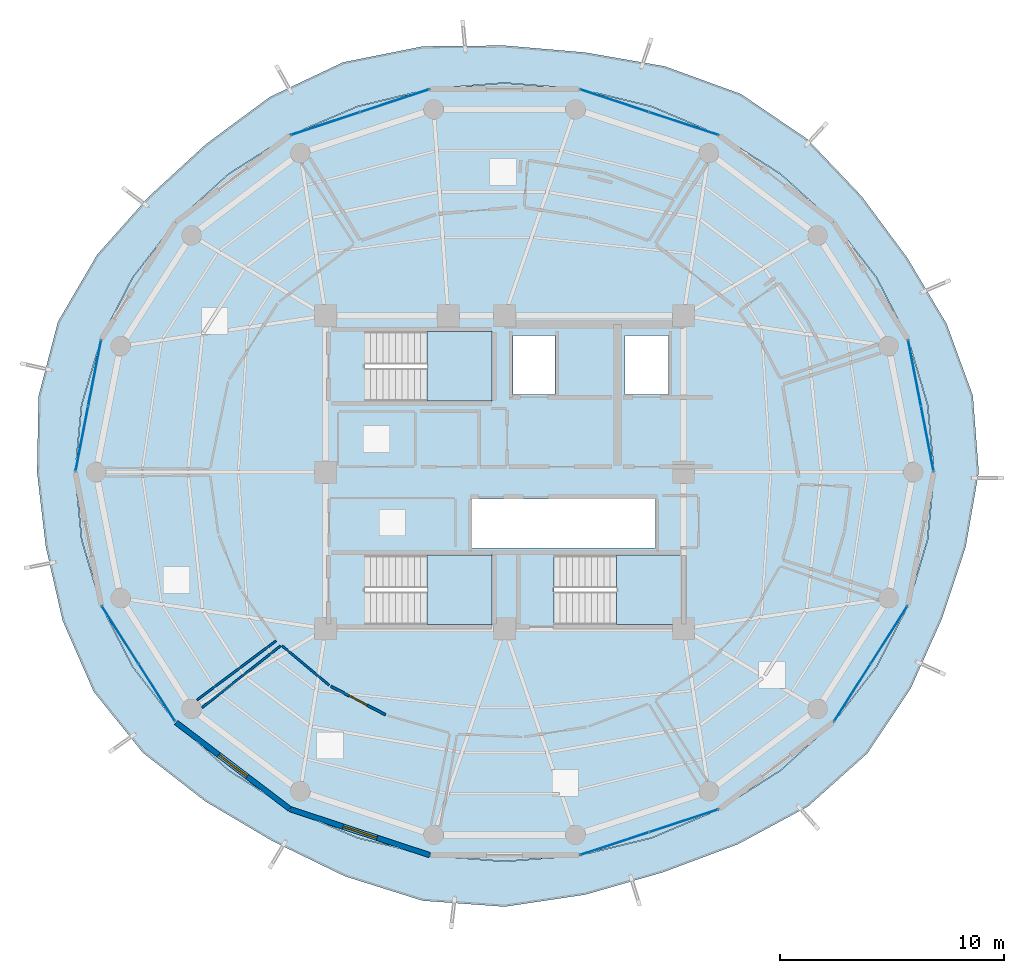
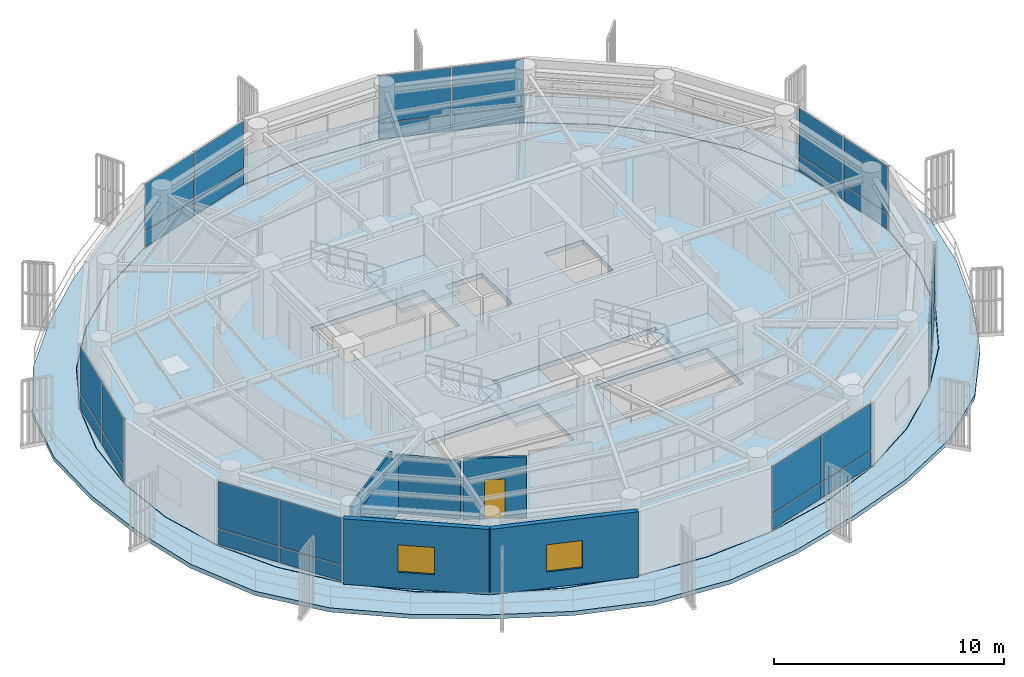
# One storey, part 14 of 22: 28 plates, 6 walls, 5 slabs, 2 windows, 1 door, 3 openings, 10 elements without a shape of their own.
"""IFC4 building model written with IfcOpenShell, lengths in metres."""

import ifcopenshell
import ifcopenshell.guid

model = None  # the IFC model being written
_history = None  # IfcOwnerHistory: only IFC2X3 demands one
_inside = {}  # id of a spatial element -> (the spatial element, [elements in it])
_under = {}  # id of a project, library or spatial element -> (it, [spatial elements below it])
_declared = {}  # id of a project -> (the project, [libraries it declares])
_typed = {}  # id of a type object -> (the type object, [elements of that type])
_made_of = {}  # id of a material, layer set ... -> (it, [elements and type objects made of it])


def new_model(schema):
    """Start an empty IFC model of exactly this schema.

    Asked for "IFC4X3", IfcOpenShell would pick the latest addendum, in which some entities
    have other attributes; the version numbers below select the first issue.
    IFC2X3 requires an IfcOwnerHistory on every rooted entity: one is made here for all.
    """
    global model, _history
    if schema == "IFC4X3":
        model = ifcopenshell.file(schema_version=(4, 3, 0, 0))
    else:
        model = ifcopenshell.file(schema=schema)
    _inside.clear()
    _under.clear()
    _declared.clear()
    _typed.clear()
    _made_of.clear()
    _history = None
    if model.schema == "IFC2X3":
        org = make("IfcOrganization", Name="unknown")
        user = make(
            "IfcPersonAndOrganization",
            ThePerson=make("IfcPerson", FamilyName="unknown"),
            TheOrganization=org,
        )
        app = make(
            "IfcApplication",
            ApplicationDeveloper=org,
            Version="unknown",
            ApplicationFullName="unknown",
            ApplicationIdentifier="unknown",
        )
        _history = make(
            "IfcOwnerHistory",
            OwningUser=user,
            OwningApplication=app,
            ChangeAction="ADDED",
            CreationDate=0,
        )
    return model


def make(cls, **values):
    """One entity of the class cls with the attributes given. An attribute that is None is left unset."""
    return model.create_entity(
        cls, **{name: value for name, value in values.items() if value is not None}
    )


def rooted(cls, **values):
    """An entity with a GlobalId (a new one), such as an element, a storey or a relation."""
    return make(cls, GlobalId=ifcopenshell.guid.new(), OwnerHistory=_history, **values)


def si_unit(unit_type, name, prefix=None):
    """IfcSIUnit, for example si_unit("LENGTHUNIT", "METRE", prefix="MILLI")."""
    return make("IfcSIUnit", UnitType=unit_type, Prefix=prefix, Name=name)


def assignment(units):
    """IfcUnitAssignment: the units of a project."""
    return None if units is None else make("IfcUnitAssignment", Units=units)


def point(xyz):
    """IfcCartesianPoint."""
    return None if xyz is None else make("IfcCartesianPoint", Coordinates=xyz)


def direction(xyz):
    """IfcDirection."""
    return None if xyz is None else make("IfcDirection", DirectionRatios=xyz)


def frame(location, z_axis=None, x_axis=None):
    """IfcAxis2Placement3D, a coordinate frame: its origin and axes. An axis left out is left unset."""
    return make(
        "IfcAxis2Placement3D",
        Location=point(location),
        Axis=direction(z_axis),
        RefDirection=direction(x_axis),
    )


def frame_2d(location, x_axis=None):
    """IfcAxis2Placement2D, a coordinate frame in the plane: its origin and x axis."""
    return make(
        "IfcAxis2Placement2D", Location=point(location), RefDirection=direction(x_axis)
    )


def origin():
    """The frame at (0, 0, 0) with its axes left unset."""
    return frame((0.0, 0.0, 0.0))


def origin_2d():
    """The frame at (0, 0) in the plane with its x axis left unset."""
    return frame_2d((0.0, 0.0))


def place(relative_to, where):
    """IfcLocalPlacement: puts the frame where relative to a parent placement (None: the world)."""
    return make(
        "IfcLocalPlacement", PlacementRelTo=relative_to, RelativePlacement=where
    )


def context(
    kind, dimensions, precision=None, world=None, true_north=None, identifier=None
):
    """IfcGeometricRepresentationContext, for example the 3D "Model" context."""
    return make(
        "IfcGeometricRepresentationContext",
        ContextIdentifier=identifier,
        ContextType=kind,
        CoordinateSpaceDimension=dimensions,
        Precision=precision,
        WorldCoordinateSystem=world,
        TrueNorth=true_north,
    )


def subcontext(parent, identifier, kind, view, scale=None):
    """IfcGeometricRepresentationSubContext, for example "Body" below "Model"."""
    return make(
        "IfcGeometricRepresentationSubContext",
        ContextIdentifier=identifier,
        ContextType=kind,
        ParentContext=parent,
        TargetScale=scale,
        TargetView=view,
    )


def project(units=None, contexts=None):
    """IfcProject with its units and contexts."""
    return rooted(
        "IfcProject",
        Name="project",
        RepresentationContexts=contexts,
        UnitsInContext=assignment(units),
    )


def spatial(cls, under=None, at=None, **own):
    """A site, building, storey or space (cls), placed at a placement, below another one or the project."""
    s = rooted(cls, ObjectPlacement=at, **own)
    if under is not None:
        _under.setdefault(under.id(), (under, []))[1].append(s)
    return s


def polyline(points):
    """IfcPolyline through the points."""
    return make("IfcPolyline", Points=[point(p) for p in points])


def profile(cls, at=None, kind="AREA", **sizes):
    """A parametric profile (cls). Its sizes go by their IFC names, for example OverallWidth=200.0."""
    return make(cls, ProfileType=kind, Position=at, **sizes)


def rectangle(**sizes):
    """IfcRectangleProfileDef."""
    return profile("IfcRectangleProfileDef", **sizes)


def outline(outer, holes=None, kind="AREA"):
    """IfcArbitraryClosedProfileDef: a profile drawn as a closed curve; with holes, ...WithVoids."""
    if holes is None:
        return make("IfcArbitraryClosedProfileDef", ProfileType=kind, OuterCurve=outer)
    return make(
        "IfcArbitraryProfileDefWithVoids",
        ProfileType=kind,
        OuterCurve=outer,
        InnerCurves=holes,
    )


def extrude(swept, where, along, depth):
    """IfcExtrudedAreaSolid: the profile swept, set in the frame where, extruded along a direction by depth."""
    return make(
        "IfcExtrudedAreaSolid",
        SweptArea=swept,
        Position=where,
        ExtrudedDirection=direction(along),
        Depth=depth,
    )


def shape(context_of_items, identifier, shape_type, items):
    """IfcShapeRepresentation: the items that make up one representation, for example the "Body"."""
    return make(
        "IfcShapeRepresentation",
        ContextOfItems=context_of_items,
        RepresentationIdentifier=identifier,
        RepresentationType=shape_type,
        Items=items,
    )


def source(mapping_origin, context_of_items, identifier, shape_type, items):
    """IfcRepresentationMap: a shape defined once, which mapped items show again and again."""
    return make(
        "IfcRepresentationMap",
        MappingOrigin=mapping_origin,
        MappedRepresentation=shape(context_of_items, identifier, shape_type, items),
    )


def transform(
    local_origin,
    x_axis=None,
    y_axis=None,
    z_axis=None,
    scale=None,
    scale2=None,
    scale3=None,
    uniform=True,
):
    """IfcCartesianTransformationOperator3D, or its non-uniform kind. x_axis, y_axis, z_axis: its Axis1, 2, 3."""
    if uniform:
        return make(
            "IfcCartesianTransformationOperator3D",
            Axis1=direction(x_axis),
            Axis2=direction(y_axis),
            LocalOrigin=point(local_origin),
            Scale=scale,
            Axis3=direction(z_axis),
        )
    return make(
        "IfcCartesianTransformationOperator3DnonUniform",
        Axis1=direction(x_axis),
        Axis2=direction(y_axis),
        LocalOrigin=point(local_origin),
        Scale=scale,
        Axis3=direction(z_axis),
        Scale2=scale2,
        Scale3=scale3,
    )


def mapped(mapping_source, mapping_target):
    """IfcMappedItem: shows the shape of a source again, moved by a transform."""
    return make(
        "IfcMappedItem", MappingSource=mapping_source, MappingTarget=mapping_target
    )


def material(Name=None, Category=None):
    """IfcMaterial."""
    return make("IfcMaterial", Name=Name, Category=Category)


def layer(
    of_material, thickness, ventilated=None, Name=None, Category=None, Priority=None
):
    """IfcMaterialLayer: one layer of a wall or slab, of a material (None: an air gap)."""
    return make(
        "IfcMaterialLayer",
        Material=of_material,
        LayerThickness=thickness,
        IsVentilated=ventilated,
        Name=Name,
        Category=Category,
        Priority=Priority,
    )


def layer_set(layers, Name=None):
    """IfcMaterialLayerSet."""
    return make("IfcMaterialLayerSet", MaterialLayers=layers, LayerSetName=Name)


def made_of(thing, what):
    """Note that an element or type object is made of a material, layer set ...; save() writes the relation."""
    if what is not None:
        _made_of.setdefault(what.id(), (what, []))[1].append(thing)
    return thing


def type_object(cls, material=None, **own):
    """A type object (cls), such as IfcWallType, which elements share."""
    return made_of(rooted(cls, **own), material)


def element(
    cls,
    number,
    at=None,
    inside=None,
    cuts=None,
    type_object=None,
    material=None,
    context=None,
    identifier="Body",
    shape_type=None,
    held_by="IfcProductDefinitionShape",
    body=None,
    shapes=None,
    **own,
):
    """One element of the class cls, such as IfcWall. Its Tag is "e" and its number.

    at: its placement. inside: the storey or other place that contains it. cuts: it is an
    opening in that element (IfcRelVoidsElement). A single representation is given by context,
    identifier, shape_type and body (its items); several are given by shapes. held_by: the class
    of the entity that holds the representations. save() writes the other relations.
    """
    e = rooted(cls, Tag="e%d" % number, ObjectPlacement=at, **own)
    if body is not None:
        shapes = [shape(context, identifier, shape_type, body)]
    if shapes is not None:
        e.Representation = make(held_by, Representations=shapes)
    if inside is not None:
        _inside.setdefault(inside.id(), (inside, []))[1].append(e)
    if cuts is not None:
        rooted(
            "IfcRelVoidsElement", RelatingBuildingElement=cuts, RelatedOpeningElement=e
        )
    if type_object is not None:
        _typed.setdefault(type_object.id(), (type_object, []))[1].append(e)
    return made_of(e, material)


def fill(opening, filler):
    """IfcRelFillsElement: the door or window that sits in an opening."""
    return rooted(
        "IfcRelFillsElement",
        RelatingOpeningElement=opening,
        RelatedBuildingElement=filler,
    )


def aggregate(whole, parts):
    """IfcRelAggregates: a whole, such as a stair, and the parts it consists of."""
    return rooted("IfcRelAggregates", RelatingObject=whole, RelatedObjects=parts)


def save(model, path):
    """Write the relations noted so far, then the file.

    IfcRelAggregates (storeys below a building ...), IfcRelContainedInSpatialStructure (elements
    in a storey), IfcRelDefinesByType, IfcRelAssociatesMaterial and IfcRelDeclares: one each for
    every whole, place, type object, material and project.
    """
    for whole, parts in _under.values():
        aggregate(whole, parts)
    for where, things in _inside.values():
        rooted(
            "IfcRelContainedInSpatialStructure",
            RelatedElements=things,
            RelatingStructure=where,
        )
    for kind, things in _typed.values():
        rooted("IfcRelDefinesByType", RelatedObjects=things, RelatingType=kind)
    for what, things in _made_of.values():
        rooted("IfcRelAssociatesMaterial", RelatedObjects=things, RelatingMaterial=what)
    for by, libraries in _declared.values():
        rooted("IfcRelDeclares", RelatingContext=by, RelatedDefinitions=libraries)
    model.write(path)


model = new_model("IFC4")

# Units and contexts
model_context = context("Model", 3, precision=1e-05, world=origin(), true_north=direction((0.0, 1.0)))
body_context = subcontext(model_context, "Body", "Model", "MODEL_VIEW")
ifc_project = project(units=[si_unit("LENGTHUNIT", "METRE"), si_unit("AREAUNIT", "SQUARE_METRE"), si_unit("VOLUMEUNIT", "CUBIC_METRE"), si_unit("PLANEANGLEUNIT", "RADIAN"), si_unit("MASSUNIT", "GRAM", prefix="KILO")], contexts=[model_context])

# Site, building, storey
site_placement = place(None, origin())
site = spatial("IfcSite", under=ifc_project, at=site_placement, CompositionType="ELEMENT")
building_placement = place(site_placement, origin())
building = spatial("IfcBuilding", under=site, at=building_placement, Name="Kelanora Arch Commons", CompositionType="ELEMENT")
storey_placement = place(building_placement, frame((0.0, 0.0, 267.449951171875)))
storey = spatial("IfcBuildingStorey", under=building, at=storey_placement, Name="L68", CompositionType="ELEMENT", Elevation=267.449951171875)

# Stair, slab
ifc_material_1 = material(Name="Concrete C40/50", Category="concrete")
stair_type = type_object("IfcStairType", Name="STR-DL-375", PredefinedType="HALF_TURN_STAIR", material=ifc_material_1)
stair_1_placement = place(storey_placement, origin())
stair_1 = element("IfcStair", 1, at=stair_1_placement, inside=storey, type_object=stair_type, Name="L68 ST-T1", PredefinedType="HALF_TURN_STAIR")
ifc_layer_1 = layer(ifc_material_1, 0.199951171875)
ifc_layer_set_1 = layer_set([ifc_layer_1], Name="Concrete C40/50")
slab_type_1 = type_object("IfcSlabType", Name="SLB-STAIR-LND", PredefinedType="LANDING", material=ifc_layer_set_1)
slab_1_placement = place(storey_placement, frame((0.0, 0.0, 1.675048828125)))
slab_1 = element("IfcSlab", 2, at=slab_1_placement, type_object=slab_type_1, Name="ST-T1 landing 1", PredefinedType="LANDING", context=body_context, shape_type="SweptSolid", body=[
    extrude(outline(polyline([(70.52001953125, 61.179931640625), (73.43994140625, 61.179931640625), (73.43994140625, 64.2900390625), (70.52001953125, 64.2900390625), (70.52001953125, 61.179931640625)])), origin(), (0.0, 0.0, 1.0), 0.199951171875),
])
aggregate(stair_1, [slab_1])

stair_2_placement = place(storey_placement, origin())
stair_2 = element("IfcStair", 3, at=stair_2_placement, inside=storey, type_object=stair_type, Name="L68 ST-T2", PredefinedType="HALF_TURN_STAIR")
slab_2_placement = place(storey_placement, frame((0.0, 0.0, 1.675048828125)))
slab_2 = element("IfcSlab", 4, at=slab_2_placement, type_object=slab_type_1, Name="ST-T2 landing 1", PredefinedType="LANDING", context=body_context, shape_type="SweptSolid", body=[
    extrude(outline(polyline([(79.0, 51.179931640625), (81.919921875, 51.179931640625), (81.919921875, 54.2900390625), (79.0, 54.2900390625), (79.0, 51.179931640625)])), origin(), (0.0, 0.0, 1.0), 0.199951171875),
])
aggregate(stair_2, [slab_2])

stair_3_placement = place(storey_placement, origin())
stair_3 = element("IfcStair", 5, at=stair_3_placement, inside=storey, type_object=stair_type, Name="L68 ST-T3", PredefinedType="HALF_TURN_STAIR")
slab_3_placement = place(storey_placement, frame((0.0, 0.0, 1.675048828125)))
slab_3 = element("IfcSlab", 6, at=slab_3_placement, type_object=slab_type_1, Name="ST-T3 landing 1", PredefinedType="LANDING", context=body_context, shape_type="SweptSolid", body=[
    extrude(outline(polyline([(70.52001953125, 51.179931640625), (73.43994140625, 51.179931640625), (73.43994140625, 54.2900390625), (70.52001953125, 54.2900390625), (70.52001953125, 51.179931640625)])), origin(), (0.0, 0.0, 1.0), 0.199951171875),
])
aggregate(stair_3, [slab_3])

# Slabs
ifc_layer_2 = layer(ifc_material_1, 0.260009765625)
ifc_layer_set_2 = layer_set([ifc_layer_2], Name="Concrete C40/50")
slab_type_2 = type_object("IfcSlabType", Name="SLB-TWR-TYP", PredefinedType="FLOOR", material=ifc_layer_set_2)
slab_4_placement = place(storey_placement, frame((0.0, 0.0, -0.260009765625)))
element("IfcSlab", 7, at=slab_4_placement, inside=storey, type_object=slab_type_2, Name="Tower Floor Slab L68", PredefinedType="FLOOR", context=body_context, shape_type="SweptSolid", body=[
    extrude(outline(polyline([(93.199951171875, 58.0), (92.908203125, 61.021484375), (92.0419921875, 63.951171875), (90.627685546875, 66.699951171875), (88.7080078125, 69.1845703125), (86.341552734375, 71.3291015625), (83.60009765625, 73.06884765625), (80.56689453125, 74.3505859375), (77.333984375, 75.1357421875), (74.0, 75.39990234375), (70.666015625, 75.1357421875), (67.43310546875, 74.3505859375), (64.39990234375, 73.06884765625), (61.658447265625, 71.3291015625), (59.2919921875, 69.1845703125), (57.372314453125, 66.699951171875), (55.9580078125, 63.951171875), (55.091796875, 61.021484375), (54.800048828125, 58.0), (55.091796875, 54.978515625), (55.9580078125, 52.048828125), (57.372314453125, 49.300048828125), (59.2919921875, 46.8154296875), (61.658447265625, 44.6708984375), (64.39990234375, 42.93115234375), (67.43310546875, 41.6494140625), (70.666015625, 40.8642578125), (74.0, 40.60009765625), (77.333984375, 40.8642578125), (80.56689453125, 41.6494140625), (83.60009765625, 42.93115234375), (86.341552734375, 44.6708984375), (88.7080078125, 46.8154296875), (90.627685546875, 49.300048828125), (92.0419921875, 52.048828125), (92.908203125, 54.978515625), (93.199951171875, 58.0)]), holes=[polyline([(73.431884765625, 51.18798828125), (67.72802734375, 51.18798828125), (67.72802734375, 54.281982421875), (73.431884765625, 54.281982421875), (73.431884765625, 51.18798828125)]), polyline([(76.2080078125, 51.18798828125), (76.2080078125, 54.281982421875), (81.912109375, 54.281982421875), (81.912109375, 51.18798828125), (76.2080078125, 51.18798828125)]), polyline([(72.550048828125, 54.60009765625), (72.550048828125, 56.800048828125), (80.75, 56.800048828125), (80.75, 54.60009765625), (72.550048828125, 54.60009765625)]), polyline([(73.431884765625, 61.18798828125), (67.72802734375, 61.18798828125), (67.72802734375, 64.281982421875), (73.431884765625, 64.281982421875), (73.431884765625, 61.18798828125)]), polyline([(74.3798828125, 61.47998046875), (74.3798828125, 64.1201171875), (76.260009765625, 64.1201171875), (76.260009765625, 61.47998046875), (74.3798828125, 61.47998046875)]), polyline([(79.3798828125, 61.47998046875), (79.3798828125, 64.1201171875), (81.320068359375, 64.1201171875), (81.320068359375, 61.47998046875), (79.3798828125, 61.47998046875)])]), origin(), (0.0, 0.0, 1.0), 0.260009765625),
])
ifc_layer_3 = layer(ifc_material_1, 0.219970703125)
ifc_layer_set_3 = layer_set([ifc_layer_3], Name="Concrete C40/50")
slab_type_3 = type_object("IfcSlabType", Name="SLB-WAVE-BAL", PredefinedType="FLOOR", material=ifc_layer_set_3)
slab_5_placement = place(storey_placement, frame((0.0, 0.0, -0.219970703125)))
element("IfcSlab", 8, at=slab_5_placement, inside=storey, type_object=slab_type_3, Name="Sinusoidal Wave Balcony Slab L68", PredefinedType="FLOOR", context=body_context, shape_type="SweptSolid", body=[
    extrude(outline(polyline([(95.206298828125, 58.0), (94.944580078125, 61.417724609375), (93.7666015625, 64.643798828125), (92.0126953125, 67.58251953125), (89.963134765625, 70.3466796875), (87.535888671875, 72.89990234375), (84.56640625, 74.916015625), (81.161376953125, 76.1533203125), (77.595703125, 76.77392578125), (74.0, 77.08203125), (70.3603515625, 77.04833984375), (66.779052734375, 76.333984375), (63.501953125, 74.78515625), (60.640380859375, 72.668212890625), (58.074462890625, 70.311767578125), (55.771240234375, 67.719970703125), (54.023193359375, 64.72802734375), (53.15478515625, 61.3984375), (53.089599609375, 58.0), (53.479736328125, 54.664794921875), (54.2333984375, 51.356201171875), (55.622802734375, 48.185302734375), (57.81982421875, 45.452392578125), (60.603271484375, 43.283203125), (63.6435546875, 41.4853515625), (66.863525390625, 39.922607421875), (70.34130859375, 38.83251953125), (74.0, 38.5654296875), (77.614990234375, 39.10693359375), (81.076904296875, 40.10302734375), (84.425048828125, 41.354248046875), (87.572998046875, 43.051513671875), (90.2177734375, 45.41748046875), (92.161376953125, 48.322998046875), (93.556396484375, 51.440673828125), (94.61962890625, 54.6455078125), (95.206298828125, 58.0)]), holes=[polyline([(92.927978515625, 54.97509765625), (92.060791015625, 52.0419921875), (90.64501953125, 49.2900390625), (88.723388671875, 46.802490234375), (86.3544921875, 44.655517578125), (83.610107421875, 42.913818359375), (80.573486328125, 41.630615234375), (77.33740234375, 40.844482421875), (74.0, 40.580078125), (70.66259765625, 40.844482421875), (67.426513671875, 41.630615234375), (64.389892578125, 42.913818359375), (61.6455078125, 44.655517578125), (59.276611328125, 46.802490234375), (57.35498046875, 49.2900390625), (55.939208984375, 52.0419921875), (55.072021484375, 54.97509765625), (54.780029296875, 58.0), (55.072021484375, 61.02490234375), (55.939208984375, 63.9580078125), (57.35498046875, 66.7099609375), (59.276611328125, 69.197509765625), (61.6455078125, 71.344482421875), (64.389892578125, 73.086181640625), (67.426513671875, 74.369384765625), (70.66259765625, 75.155517578125), (74.0, 75.419921875), (77.33740234375, 75.155517578125), (80.573486328125, 74.369384765625), (83.610107421875, 73.086181640625), (86.3544921875, 71.344482421875), (88.723388671875, 69.197509765625), (90.64501953125, 66.7099609375), (92.060791015625, 63.9580078125), (92.927978515625, 61.02490234375), (93.219970703125, 58.0), (92.927978515625, 54.97509765625)])]), origin(), (0.0, 0.0, 1.0), 0.219970703125),
])

# Curtain wall, plates
ifc_material_2 = material(Name="Terracotta ceramic-fritted low-E glass and aluminium", Category="masonry")
ifc_layer_4 = layer(ifc_material_2, 0.18994140625)
ifc_layer_set_4 = layer_set([ifc_layer_4], Name="Terracotta ceramic-fritted low-E glass and aluminium")
curtain_wall_type = type_object("IfcCurtainWallType", Name="CW-SYS-03", PredefinedType="NOTDEFINED", material=ifc_layer_set_4)
curtain_wall_1_placement = place(storey_placement, origin())
curtain_wall_1 = element("IfcCurtainWall", 9, at=curtain_wall_1_placement, inside=storey, type_object=curtain_wall_type, Name="Unitised Curtain Wall L68-B00", PredefinedType="NOTDEFINED")
ifc_material_3 = material(Name="Terracotta ceramic-fritted double glazing", Category="masonry")
ifc_layer_5 = layer(ifc_material_3, 0.028076171875)
ifc_layer_set_5 = layer_set([ifc_layer_5], Name="Terracotta ceramic-fritted double glazing")
plate_type = type_object("IfcPlateType", Name="CWP-FRIT", PredefinedType="CURTAIN_PANEL", material=ifc_layer_set_5)
shared_shape_1 = source(origin(), body_context, "Body", "SweptSolid", [
    extrude(rectangle(XDim=2.926513671875, YDim=0.028076171875, at=origin_2d()), origin(), (0.0, 0.0, 1.0), 0.81005859375),
])
plate_1_placement = place(storey_placement, frame((92.90625, 59.509765625, 0.06005859375), z_axis=(0.0, 0.0, 1.0), x_axis=(-0.190971701941, 0.981595542501, 0.0)))
plate_1 = element("IfcPlate", 10, at=plate_1_placement, type_object=plate_type, Name="CW-03 panel 1.1", PredefinedType="CURTAIN_PANEL", context=body_context, shape_type="MappedRepresentation", body=[
    mapped(shared_shape_1, transform((0.0, 0.0, 0.0), scale=1.0)),
])
plate_2_placement = place(storey_placement, frame((92.3359375, 62.44140625, 0.06005859375), z_axis=(0.0, 0.0, 1.0), x_axis=(-0.190971701941, 0.981595542501, 0.0)))
plate_2 = element("IfcPlate", 11, at=plate_2_placement, type_object=plate_type, Name="CW-03 panel 2.1", PredefinedType="CURTAIN_PANEL", context=body_context, shape_type="MappedRepresentation", body=[
    mapped(shared_shape_1, transform((0.0, 0.0, 0.0), scale=1.0)),
])

curtain_wall_2_placement = place(storey_placement, origin())
curtain_wall_2 = element("IfcCurtainWall", 12, at=curtain_wall_2_placement, inside=storey, type_object=curtain_wall_type, Name="Unitised Curtain Wall L68-B08", PredefinedType="NOTDEFINED")
plate_3_placement = place(storey_placement, frame((55.6640625, 62.44140625, 0.06005859375), z_axis=(0.0, 0.0, 1.0), x_axis=(-0.190971701941, -0.981595542501, 0.0)))
plate_3 = element("IfcPlate", 13, at=plate_3_placement, type_object=plate_type, Name="CW-03 panel 1.1", PredefinedType="CURTAIN_PANEL", context=body_context, shape_type="MappedRepresentation", body=[
    mapped(shared_shape_1, transform((0.0, 0.0, 0.0), scale=1.0)),
])
plate_4_placement = place(storey_placement, frame((55.09375, 59.509765625, 0.06005859375), z_axis=(0.0, 0.0, 1.0), x_axis=(-0.190971701941, -0.981595542501, 0.0)))
plate_4 = element("IfcPlate", 14, at=plate_4_placement, type_object=plate_type, Name="CW-03 panel 2.1", PredefinedType="CURTAIN_PANEL", context=body_context, shape_type="MappedRepresentation", body=[
    mapped(shared_shape_1, transform((0.0, 0.0, 0.0), scale=1.0)),
])

# Plate
shared_shape_2 = source(origin(), body_context, "Body", "SweptSolid", [
    extrude(rectangle(XDim=2.926513671875, YDim=0.028076171875, at=origin_2d()), origin(), (0.0, 0.0, 1.0), 2.485107421875),
])
plate_5_placement = place(storey_placement, frame((92.90625, 59.509765625, 0.93017578125), z_axis=(0.0, 0.0, 1.0), x_axis=(-0.190971701941, 0.981595542501, 0.0)))
plate_5 = element("IfcPlate", 15, at=plate_5_placement, type_object=plate_type, Name="CW-03 panel 1.2", PredefinedType="CURTAIN_PANEL", context=body_context, shape_type="MappedRepresentation", body=[
    mapped(shared_shape_2, transform((0.0, 0.0, 0.0), scale=1.0)),
])

plate_6_placement = place(storey_placement, frame((92.3359375, 62.44140625, 0.93017578125), z_axis=(0.0, 0.0, 1.0), x_axis=(-0.190971701941, 0.981595542501, 0.0)))
plate_6 = element("IfcPlate", 16, at=plate_6_placement, type_object=plate_type, Name="CW-03 panel 2.2", PredefinedType="CURTAIN_PANEL", context=body_context, shape_type="MappedRepresentation", body=[
    mapped(shared_shape_2, transform((0.0, 0.0, 0.0), scale=1.0)),
])

aggregate(curtain_wall_1, [plate_1, plate_5, plate_2, plate_6])

plate_7_placement = place(storey_placement, frame((55.6640625, 62.44140625, 0.93017578125), z_axis=(0.0, 0.0, 1.0), x_axis=(-0.190971701941, -0.981595542501, 0.0)))
plate_7 = element("IfcPlate", 17, at=plate_7_placement, type_object=plate_type, Name="CW-03 panel 1.2", PredefinedType="CURTAIN_PANEL", context=body_context, shape_type="MappedRepresentation", body=[
    mapped(shared_shape_2, transform((0.0, 0.0, 0.0), scale=1.0)),
])

plate_8_placement = place(storey_placement, frame((55.09375, 59.509765625, 0.93017578125), z_axis=(0.0, 0.0, 1.0), x_axis=(-0.190971701941, -0.981595542501, 0.0)))
plate_8 = element("IfcPlate", 18, at=plate_8_placement, type_object=plate_type, Name="CW-03 panel 2.2", PredefinedType="CURTAIN_PANEL", context=body_context, shape_type="MappedRepresentation", body=[
    mapped(shared_shape_2, transform((0.0, 0.0, 0.0), scale=1.0)),
])

aggregate(curtain_wall_2, [plate_3, plate_7, plate_4, plate_8])

# Curtain wall, plates
curtain_wall_3_placement = place(storey_placement, origin())
curtain_wall_3 = element("IfcCurtainWall", 19, at=curtain_wall_3_placement, inside=storey, type_object=curtain_wall_type, Name="Unitised Curtain Wall L68-B03", PredefinedType="NOTDEFINED")
shared_shape_3 = source(origin(), body_context, "Body", "SweptSolid", [
    extrude(rectangle(XDim=3.194091796875, YDim=0.028076171875, at=origin_2d()), origin(), (0.0, 0.0, 1.0), 0.81005859375),
])
plate_9_placement = place(storey_placement, frame((82.01220703125, 73.592529296875, 0.06005859375), z_axis=(0.0, 0.0, 1.0), x_axis=(-0.949669780752, 0.313252785344, 0.0)))
plate_9 = element("IfcPlate", 20, at=plate_9_placement, type_object=plate_type, Name="CW-03 panel 1.1", PredefinedType="CURTAIN_PANEL", context=body_context, shape_type="MappedRepresentation", body=[
    mapped(shared_shape_3, transform((0.0, 0.0, 0.0), scale=1.0)),
])
plate_10_placement = place(storey_placement, frame((78.921875, 74.61181640625, 0.06005859375), z_axis=(0.0, 0.0, 1.0), x_axis=(-0.949669780752, 0.313252785344, 0.0)))
plate_10 = element("IfcPlate", 21, at=plate_10_placement, type_object=plate_type, Name="CW-03 panel 2.1", PredefinedType="CURTAIN_PANEL", context=body_context, shape_type="MappedRepresentation", body=[
    mapped(shared_shape_3, transform((0.0, 0.0, 0.0), scale=1.0)),
])

curtain_wall_4_placement = place(storey_placement, origin())
curtain_wall_4 = element("IfcCurtainWall", 22, at=curtain_wall_4_placement, inside=storey, type_object=curtain_wall_type, Name="Unitised Curtain Wall L68-B05", PredefinedType="NOTDEFINED")
plate_11_placement = place(storey_placement, frame((69.078125, 74.61181640625, 0.06005859375), z_axis=(0.0, 0.0, 1.0), x_axis=(-0.949669780752, -0.313252785344, 0.0)))
plate_11 = element("IfcPlate", 23, at=plate_11_placement, type_object=plate_type, Name="CW-03 panel 1.1", PredefinedType="CURTAIN_PANEL", context=body_context, shape_type="MappedRepresentation", body=[
    mapped(shared_shape_3, transform((0.0, 0.0, 0.0), scale=1.0)),
])
plate_12_placement = place(storey_placement, frame((65.98779296875, 73.592529296875, 0.06005859375), z_axis=(0.0, 0.0, 1.0), x_axis=(-0.949669780752, -0.313252785344, 0.0)))
plate_12 = element("IfcPlate", 24, at=plate_12_placement, type_object=plate_type, Name="CW-03 panel 2.1", PredefinedType="CURTAIN_PANEL", context=body_context, shape_type="MappedRepresentation", body=[
    mapped(shared_shape_3, transform((0.0, 0.0, 0.0), scale=1.0)),
])

curtain_wall_5_placement = place(storey_placement, origin())
curtain_wall_5 = element("IfcCurtainWall", 25, at=curtain_wall_5_placement, inside=storey, type_object=curtain_wall_type, Name="Unitised Curtain Wall L68-B14", PredefinedType="NOTDEFINED")
plate_13_placement = place(storey_placement, frame((78.921875, 41.38818359375, 0.06005859375), z_axis=(0.0, 0.0, 1.0), x_axis=(0.949669780752, 0.313252785344, 0.0)))
plate_13 = element("IfcPlate", 26, at=plate_13_placement, type_object=plate_type, Name="CW-03 panel 1.1", PredefinedType="CURTAIN_PANEL", context=body_context, shape_type="MappedRepresentation", body=[
    mapped(shared_shape_3, transform((0.0, 0.0, 0.0), scale=1.0)),
])
plate_14_placement = place(storey_placement, frame((82.01220703125, 42.407470703125, 0.06005859375), z_axis=(0.0, 0.0, 1.0), x_axis=(0.949669780752, 0.313252785344, 0.0)))
plate_14 = element("IfcPlate", 27, at=plate_14_placement, type_object=plate_type, Name="CW-03 panel 2.1", PredefinedType="CURTAIN_PANEL", context=body_context, shape_type="MappedRepresentation", body=[
    mapped(shared_shape_3, transform((0.0, 0.0, 0.0), scale=1.0)),
])

# Plate
shared_shape_4 = source(origin(), body_context, "Body", "SweptSolid", [
    extrude(rectangle(XDim=3.194091796875, YDim=0.028076171875, at=origin_2d()), origin(), (0.0, 0.0, 1.0), 2.485107421875),
])
plate_15_placement = place(storey_placement, frame((82.01220703125, 73.592529296875, 0.93017578125), z_axis=(0.0, 0.0, 1.0), x_axis=(-0.949669780752, 0.313252785344, 0.0)))
plate_15 = element("IfcPlate", 28, at=plate_15_placement, type_object=plate_type, Name="CW-03 panel 1.2", PredefinedType="CURTAIN_PANEL", context=body_context, shape_type="MappedRepresentation", body=[
    mapped(shared_shape_4, transform((0.0, 0.0, 0.0), scale=1.0)),
])

plate_16_placement = place(storey_placement, frame((78.921875, 74.61181640625, 0.93017578125), z_axis=(0.0, 0.0, 1.0), x_axis=(-0.949669780752, 0.313252785344, 0.0)))
plate_16 = element("IfcPlate", 29, at=plate_16_placement, type_object=plate_type, Name="CW-03 panel 2.2", PredefinedType="CURTAIN_PANEL", context=body_context, shape_type="MappedRepresentation", body=[
    mapped(shared_shape_4, transform((0.0, 0.0, 0.0), scale=1.0)),
])

aggregate(curtain_wall_3, [plate_9, plate_15, plate_10, plate_16])

plate_17_placement = place(storey_placement, frame((69.078125, 74.61181640625, 0.93017578125), z_axis=(0.0, 0.0, 1.0), x_axis=(-0.949669780752, -0.313252785344, 0.0)))
plate_17 = element("IfcPlate", 30, at=plate_17_placement, type_object=plate_type, Name="CW-03 panel 1.2", PredefinedType="CURTAIN_PANEL", context=body_context, shape_type="MappedRepresentation", body=[
    mapped(shared_shape_4, transform((0.0, 0.0, 0.0), scale=1.0)),
])

plate_18_placement = place(storey_placement, frame((65.98779296875, 73.592529296875, 0.93017578125), z_axis=(0.0, 0.0, 1.0), x_axis=(-0.949669780752, -0.313252785344, 0.0)))
plate_18 = element("IfcPlate", 31, at=plate_18_placement, type_object=plate_type, Name="CW-03 panel 2.2", PredefinedType="CURTAIN_PANEL", context=body_context, shape_type="MappedRepresentation", body=[
    mapped(shared_shape_4, transform((0.0, 0.0, 0.0), scale=1.0)),
])

aggregate(curtain_wall_4, [plate_11, plate_17, plate_12, plate_18])

plate_19_placement = place(storey_placement, frame((78.921875, 41.38818359375, 0.93017578125), z_axis=(0.0, 0.0, 1.0), x_axis=(0.949669780752, 0.313252785344, 0.0)))
plate_19 = element("IfcPlate", 32, at=plate_19_placement, type_object=plate_type, Name="CW-03 panel 1.2", PredefinedType="CURTAIN_PANEL", context=body_context, shape_type="MappedRepresentation", body=[
    mapped(shared_shape_4, transform((0.0, 0.0, 0.0), scale=1.0)),
])

plate_20_placement = place(storey_placement, frame((82.01220703125, 42.407470703125, 0.93017578125), z_axis=(0.0, 0.0, 1.0), x_axis=(0.949669780752, 0.313252785344, 0.0)))
plate_20 = element("IfcPlate", 33, at=plate_20_placement, type_object=plate_type, Name="CW-03 panel 2.2", PredefinedType="CURTAIN_PANEL", context=body_context, shape_type="MappedRepresentation", body=[
    mapped(shared_shape_4, transform((0.0, 0.0, 0.0), scale=1.0)),
])

aggregate(curtain_wall_5, [plate_13, plate_19, plate_14, plate_20])

# Curtain wall, plates
curtain_wall_6_placement = place(storey_placement, origin())
curtain_wall_6 = element("IfcCurtainWall", 34, at=curtain_wall_6_placement, inside=storey, type_object=curtain_wall_type, Name="Unitised Curtain Wall L68-B10", PredefinedType="NOTDEFINED")
shared_shape_5 = source(origin(), body_context, "Body", "SweptSolid", [
    extrude(rectangle(XDim=2.99755859375, YDim=0.028076171875, at=origin_2d()), origin(), (0.0, 0.0, 1.0), 0.81005859375),
])
plate_21_placement = place(storey_placement, frame((56.803466796875, 50.721435546875, 0.06005859375), z_axis=(0.0, 0.0, 1.0), x_axis=(0.537299814397, -0.843391314545, 0.0)))
plate_21 = element("IfcPlate", 35, at=plate_21_placement, type_object=plate_type, Name="CW-03 panel 1.1", PredefinedType="CURTAIN_PANEL", context=body_context, shape_type="MappedRepresentation", body=[
    mapped(shared_shape_5, transform((0.0, 0.0, 0.0), scale=1.0)),
])
plate_22_placement = place(storey_placement, frame((58.4462890625, 48.142822265625, 0.06005859375), z_axis=(0.0, 0.0, 1.0), x_axis=(0.537299814397, -0.843391314545, 0.0)))
plate_22 = element("IfcPlate", 36, at=plate_22_placement, type_object=plate_type, Name="CW-03 panel 2.1", PredefinedType="CURTAIN_PANEL", context=body_context, shape_type="MappedRepresentation", body=[
    mapped(shared_shape_5, transform((0.0, 0.0, 0.0), scale=1.0)),
])

curtain_wall_7_placement = place(storey_placement, origin())
curtain_wall_7 = element("IfcCurtainWall", 37, at=curtain_wall_7_placement, inside=storey, type_object=curtain_wall_type, Name="Unitised Curtain Wall L68-B16", PredefinedType="NOTDEFINED")
plate_23_placement = place(storey_placement, frame((89.5537109375, 48.142822265625, 0.06005859375), z_axis=(0.0, 0.0, 1.0), x_axis=(0.537299814397, 0.843391314545, 0.0)))
plate_23 = element("IfcPlate", 38, at=plate_23_placement, type_object=plate_type, Name="CW-03 panel 1.1", PredefinedType="CURTAIN_PANEL", context=body_context, shape_type="MappedRepresentation", body=[
    mapped(shared_shape_5, transform((0.0, 0.0, 0.0), scale=1.0)),
])
plate_24_placement = place(storey_placement, frame((91.196533203125, 50.721435546875, 0.06005859375), z_axis=(0.0, 0.0, 1.0), x_axis=(0.537299814397, 0.843391314545, 0.0)))
plate_24 = element("IfcPlate", 39, at=plate_24_placement, type_object=plate_type, Name="CW-03 panel 2.1", PredefinedType="CURTAIN_PANEL", context=body_context, shape_type="MappedRepresentation", body=[
    mapped(shared_shape_5, transform((0.0, 0.0, 0.0), scale=1.0)),
])

# Plate
shared_shape_6 = source(origin(), body_context, "Body", "SweptSolid", [
    extrude(rectangle(XDim=2.99755859375, YDim=0.028076171875, at=origin_2d()), origin(), (0.0, 0.0, 1.0), 2.485107421875),
])
plate_25_placement = place(storey_placement, frame((56.803466796875, 50.721435546875, 0.93017578125), z_axis=(0.0, 0.0, 1.0), x_axis=(0.537299814397, -0.843391314545, 0.0)))
plate_25 = element("IfcPlate", 40, at=plate_25_placement, type_object=plate_type, Name="CW-03 panel 1.2", PredefinedType="CURTAIN_PANEL", context=body_context, shape_type="MappedRepresentation", body=[
    mapped(shared_shape_6, transform((0.0, 0.0, 0.0), scale=1.0)),
])

plate_26_placement = place(storey_placement, frame((58.4462890625, 48.142822265625, 0.93017578125), z_axis=(0.0, 0.0, 1.0), x_axis=(0.537299814397, -0.843391314545, 0.0)))
plate_26 = element("IfcPlate", 41, at=plate_26_placement, type_object=plate_type, Name="CW-03 panel 2.2", PredefinedType="CURTAIN_PANEL", context=body_context, shape_type="MappedRepresentation", body=[
    mapped(shared_shape_6, transform((0.0, 0.0, 0.0), scale=1.0)),
])

aggregate(curtain_wall_6, [plate_21, plate_25, plate_22, plate_26])

plate_27_placement = place(storey_placement, frame((89.5537109375, 48.142822265625, 0.93017578125), z_axis=(0.0, 0.0, 1.0), x_axis=(0.537299814397, 0.843391314545, 0.0)))
plate_27 = element("IfcPlate", 42, at=plate_27_placement, type_object=plate_type, Name="CW-03 panel 1.2", PredefinedType="CURTAIN_PANEL", context=body_context, shape_type="MappedRepresentation", body=[
    mapped(shared_shape_6, transform((0.0, 0.0, 0.0), scale=1.0)),
])

plate_28_placement = place(storey_placement, frame((91.196533203125, 50.721435546875, 0.93017578125), z_axis=(0.0, 0.0, 1.0), x_axis=(0.537299814397, 0.843391314545, 0.0)))
plate_28 = element("IfcPlate", 43, at=plate_28_placement, type_object=plate_type, Name="CW-03 panel 2.2", PredefinedType="CURTAIN_PANEL", context=body_context, shape_type="MappedRepresentation", body=[
    mapped(shared_shape_6, transform((0.0, 0.0, 0.0), scale=1.0)),
])

aggregate(curtain_wall_7, [plate_23, plate_27, plate_24, plate_28])

# Wall, opening, window
ifc_material_4 = material(Name="Precast concrete C40/50 upper-zone terracotta rainscreen", Category="masonry")
ifc_layer_6 = layer(ifc_material_4, 0.239990234375)
ifc_layer_set_6 = layer_set([ifc_layer_6], Name="Precast concrete C40/50 upper-zone terracotta rainscreen")
wall_type_1 = type_object("IfcWallType", Name="W-EXT-TC2", PredefinedType="SOLIDWALL", material=ifc_layer_set_6)
wall_1_placement = place(storey_placement, frame((59.3037109375, 46.806396484375, 0.0), z_axis=(0.0, 0.0, 1.0), x_axis=(0.796010444211, -0.605282886514, 0.0)))
wall_1 = element("IfcWall", 44, at=wall_1_placement, inside=storey, type_object=wall_type_1, Name="Terracotta Exterior Wall L68-B11", PredefinedType="SOLIDWALL", context=body_context, shape_type="SweptSolid", body=[
    extrude(rectangle(XDim=6.387451171875, YDim=0.239990234375, at=frame_2d((3.19384765625, 0.0))), origin(), (0.0, 0.0, 1.0), 3.47509765625),
])
opening_1_placement = place(wall_1_placement, frame((2.39404296875, 0.0, 0.85009765625)))
opening_1 = element("IfcOpeningElement", 45, at=opening_1_placement, cuts=wall_1, Name="Opening WN-01", PredefinedType="OPENING", context=body_context, shape_type="SweptSolid", body=[
    extrude(rectangle(XDim=1.60009765625, YDim=1.449951171875, at=frame_2d((0.800048828125, 0.72509765625))), frame((0.0, 0.1298828125, 0.0), z_axis=(0.0, -1.0, 0.0), x_axis=(1.0, 0.0, 0.0)), (0.0, 0.0, 1.0), 0.260009765625),
])
ifc_material_5 = material(Name="Terracotta-anodised aluminium frame with operable low-E glazing", Category="masonry")
window_type = type_object("IfcWindowType", Name="WIN-CL-18", PartitioningType="DOUBLE_PANEL_VERTICAL", PredefinedType="WINDOW", material=ifc_material_5)
window_1_placement = place(opening_1_placement, origin())
window_1 = element("IfcWindow", 46, at=window_1_placement, inside=storey, type_object=window_type, Name="Co-Living Operable Window L68-B11", OverallHeight=1.449951171875, OverallWidth=1.60009765625, PartitioningType="SINGLE_PANEL", PredefinedType="WINDOW", context=body_context, shape_type="SweptSolid", body=[
    extrude(rectangle(XDim=1.60009765625, YDim=1.449951171875, at=frame_2d((0.800048828125, 0.72509765625))), frame((0.0, 0.030029296875, 0.0), z_axis=(0.0, -1.0, 0.0), x_axis=(1.0, 0.0, 0.0)), (0.0, 0.0, 1.0), 0.06005859375),
])
fill(opening_1, window_1)

wall_2_placement = place(storey_placement, frame((64.414306640625, 42.926513671875, 0.0), z_axis=(0.0, 0.0, 1.0), x_axis=(0.949663708393, -0.313271193954, 0.0)))
wall_2 = element("IfcWall", 47, at=wall_2_placement, inside=storey, type_object=wall_type_1, Name="Terracotta Exterior Wall L68-B12", PredefinedType="SOLIDWALL", context=body_context, shape_type="SweptSolid", body=[
    extrude(rectangle(XDim=6.568115234375, YDim=0.239990234375, at=frame_2d((3.2841796875, 0.0))), origin(), (0.0, 0.0, 1.0), 3.47509765625),
])
opening_2_placement = place(wall_2_placement, frame((2.48388671875, 0.0, 0.85009765625)))
opening_2 = element("IfcOpeningElement", 48, at=opening_2_placement, cuts=wall_2, Name="Opening WN-01", PredefinedType="OPENING", context=body_context, shape_type="SweptSolid", body=[
    extrude(rectangle(XDim=1.60009765625, YDim=1.449951171875, at=frame_2d((0.800048828125, 0.72509765625))), frame((0.0, 0.1298828125, 0.0), z_axis=(0.0, -1.0, 0.0), x_axis=(1.0, 0.0, 0.0)), (0.0, 0.0, 1.0), 0.260009765625),
])
window_2_placement = place(opening_2_placement, origin())
window_2 = element("IfcWindow", 49, at=window_2_placement, inside=storey, type_object=window_type, Name="Co-Living Operable Window L68-B12", OverallHeight=1.449951171875, OverallWidth=1.60009765625, PartitioningType="SINGLE_PANEL", PredefinedType="WINDOW", context=body_context, shape_type="SweptSolid", body=[
    extrude(rectangle(XDim=1.60009765625, YDim=1.449951171875, at=frame_2d((0.800048828125, 0.72509765625))), frame((0.0, 0.030029296875, 0.0), z_axis=(0.0, -1.0, 0.0), x_axis=(1.0, 0.0, 0.0)), (0.0, 0.0, 1.0), 0.06005859375),
])
fill(opening_2, window_2)

# Walls
ifc_material_6 = material(Name="Lightweight fire-rated acoustic stud partition")
ifc_layer_7 = layer(ifc_material_6, 0.10009765625)
ifc_layer_set_7 = layer_set([ifc_layer_7], Name="Lightweight fire-rated acoustic stud partition")
wall_type_2 = type_object("IfcWallType", Name="W-PART-100", PredefinedType="PARTITIONING", material=ifc_layer_set_7)
wall_3_placement = place(storey_placement, frame((63.777099609375, 50.4580078125, 0.0), z_axis=(0.0, 0.0, 1.0), x_axis=(-0.800384816546, -0.599486568191, 0.0)))
element("IfcWall", 50, at=wall_3_placement, inside=storey, type_object=wall_type_2, Name="Social Sky Lounge L68-04 Enclosure Partition 4", PredefinedType="PARTITIONING", context=body_context, shape_type="SweptSolid", body=[
    extrude(rectangle(XDim=4.413818359375, YDim=0.10009765625, at=frame_2d((2.20703125, 0.0))), origin(), (0.0, 0.0, 1.0), 3.175048828125),
])
wall_4_placement = place(storey_placement, frame((64.045654296875, 50.234375, 0.0), z_axis=(0.0, 0.0, 1.0), x_axis=(0.767022676895, -0.641619991216, 0.0)))
element("IfcWall", 51, at=wall_4_placement, inside=storey, type_object=wall_type_2, Name="Social Sky Lounge L68-05 Enclosure Partition 1", PredefinedType="PARTITIONING", context=body_context, shape_type="SweptSolid", body=[
    extrude(rectangle(XDim=2.7412109375, YDim=0.10009765625, at=frame_2d((1.37060546875, 0.0))), origin(), (0.0, 0.0, 1.0), 3.074951171875),
])
wall_5_placement = place(storey_placement, frame((60.4677734375, 47.467529296875, 0.0), z_axis=(0.0, 0.0, 1.0), x_axis=(0.785736749878, 0.618561039745, 0.0)))
element("IfcWall", 52, at=wall_5_placement, inside=storey, type_object=wall_type_2, Name="Social Sky Lounge L68-05 Enclosure Partition 8", PredefinedType="PARTITIONING", context=body_context, shape_type="SweptSolid", body=[
    extrude(rectangle(XDim=4.474609375, YDim=0.10009765625, at=frame_2d((2.2373046875, 0.0))), origin(), (0.0, 0.0, 1.0), 3.074951171875),
])

# Wall, opening, door
ifc_material_7 = material(Name="Acoustic twin-stud fire-rated gypsum partition")
ifc_layer_8 = layer(ifc_material_7, 0.1201171875)
ifc_layer_set_8 = layer_set([ifc_layer_8], Name="Acoustic twin-stud fire-rated gypsum partition")
wall_type_3 = type_object("IfcWallType", Name="W-PART-120", PredefinedType="PARTITIONING", material=ifc_layer_set_8)
wall_6_placement = place(storey_placement, frame((66.232177734375, 48.42236328125, 0.0), z_axis=(0.0, 0.0, 1.0), x_axis=(0.887021247279, -0.461728607382, 0.0)))
wall_6 = element("IfcWall", 53, at=wall_6_placement, inside=storey, type_object=wall_type_3, Name="Social Sky Lounge L68-05 Entry Partition", PredefinedType="PARTITIONING", context=body_context, shape_type="SweptSolid", body=[
    extrude(rectangle(XDim=2.7607421875, YDim=0.1201171875, at=frame_2d((1.38037109375, 0.0))), origin(), (0.0, 0.0, 1.0), 3.235107421875),
])
opening_3_placement = place(wall_6_placement, frame((0.929931640625, 0.0, 0.0)))
opening_3 = element("IfcOpeningElement", 54, at=opening_3_placement, cuts=wall_6, Name="Opening D-RM1", PredefinedType="OPENING", context=body_context, shape_type="SweptSolid", body=[
    extrude(rectangle(XDim=0.89990234375, YDim=2.080078125, at=frame_2d((0.449951171875, 1.0400390625))), frame((0.0, 0.070068359375, 0.0), z_axis=(0.0, -1.0, 0.0), x_axis=(1.0, 0.0, 0.0)), (0.0, 0.0, 1.0), 0.14013671875),
])
ifc_material_8 = material(Name="Acoustic fire-rated timber study and lounge door", Category="wood")
door_type = type_object("IfcDoorType", Name="D-ROOM-90", OperationType="NOTDEFINED", PredefinedType="DOOR", material=ifc_material_8)
door_placement = place(opening_3_placement, origin())
door = element("IfcDoor", 55, at=door_placement, inside=storey, type_object=door_type, Name="Social Sky Lounge L68-05 Door", OperationType="SINGLE_SWING_LEFT", OverallHeight=2.080078125, OverallWidth=0.89990234375, PredefinedType="DOOR", context=body_context, shape_type="SweptSolid", body=[
    extrude(rectangle(XDim=0.89990234375, YDim=2.080078125, at=frame_2d((0.449951171875, 1.0400390625))), frame((0.0, 0.02490234375, 0.0), z_axis=(0.0, -1.0, 0.0), x_axis=(1.0, 0.0, 0.0)), (0.0, 0.0, 1.0), 0.050048828125),
])
fill(opening_3, door)

save(model, "model.ifc")
